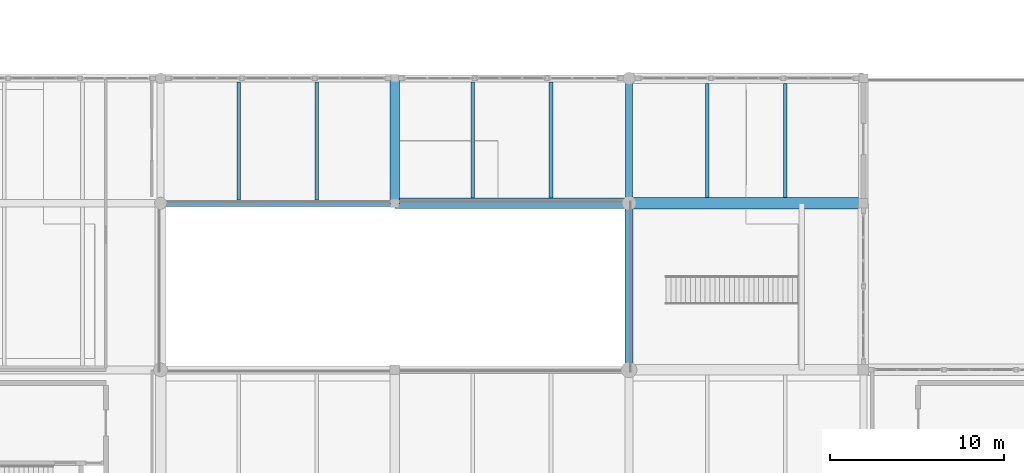
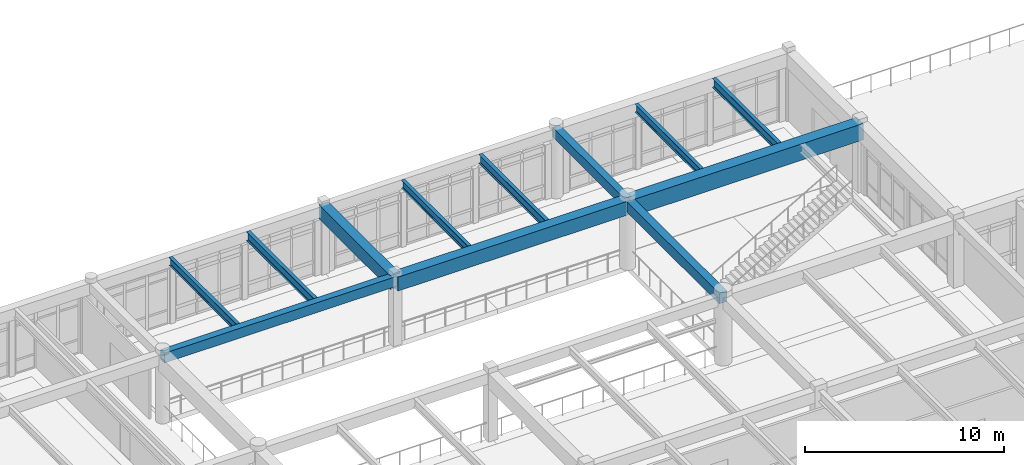
# One storey, part 28 of 109: 12 beams.
"""IFC4 building model written with IfcOpenShell, lengths in metres."""

from ifc_helpers import new_model, si_unit, direction, frame, origin, origin_2d, place, context, subcontext, project, spatial, rectangle, i_section, extrude, material, material_profile, profile_set, type_object, element, save


model = new_model("IFC4")

# Units and contexts
model_context = context("Model", 3, precision=1e-05, world=origin(), true_north=direction((0.0, 1.0)))
body_context = subcontext(model_context, "Body", "Model", "MODEL_VIEW")
ifc_project = project(units=[si_unit("LENGTHUNIT", "METRE"), si_unit("AREAUNIT", "SQUARE_METRE"), si_unit("VOLUMEUNIT", "CUBIC_METRE"), si_unit("PLANEANGLEUNIT", "RADIAN"), si_unit("MASSUNIT", "GRAM", prefix="KILO")], contexts=[model_context])

# Site, building, storey
site_placement = place(None, origin())
site = spatial("IfcSite", under=ifc_project, at=site_placement, CompositionType="ELEMENT")
building_placement = place(site_placement, origin())
building = spatial("IfcBuilding", under=site, at=building_placement, Name="Fikremerkos Civic Library", CompositionType="ELEMENT")
storey_placement = place(building_placement, frame((0.0, 0.0, 5.39990234375)))
storey = spatial("IfcBuildingStorey", under=building, at=storey_placement, Name="L01", CompositionType="ELEMENT", Elevation=5.39990234375)

# Beams
ifc_material_1 = material(Name="Steel S355", Category="steel")
ifc_material_profile_1 = material_profile(ifc_material_1, i_section(OverallWidth=0.2099609375, OverallDepth=0.550048828125, WebThickness=0.010986328125, FlangeThickness=0.01708984375, FilletRadius=0.02392578125, at=origin_2d()), Name="IPE 550")
ifc_profile_set_1 = profile_set([ifc_material_profile_1], Name="Steel S355")
beam_type_1 = type_object("IfcBeamType", Name="Floor joist JS-05 IPE 550", PredefinedType="JOIST", material=ifc_profile_set_1)
beam_1_placement = place(storey_placement, frame((68.699951171875, 41.0, 3.945068359375), z_axis=(0.0, 1.0, 0.0), x_axis=(-1.0, 0.0, 0.0)))
element("IfcBeam", 1, at=beam_1_placement, inside=storey, type_object=beam_type_1, Name="Floor joist JS-05 L01 #429", PredefinedType="JOIST", context=body_context, shape_type="SweptSolid", body=[
    extrude(i_section(OverallWidth=0.2099609375, OverallDepth=0.550048828125, WebThickness=0.010986328125, FlangeThickness=0.01708984375, FilletRadius=0.02392578125, at=origin_2d()), origin(), (0.0, 0.0, 1.0), 6.77490234375),
])
beam_2_placement = place(storey_placement, frame((82.199951171875, 41.10009765625, 3.945068359375), z_axis=(0.0, 1.0, 0.0), x_axis=(-1.0, 0.0, 0.0)))
element("IfcBeam", 2, at=beam_2_placement, inside=storey, type_object=beam_type_1, Name="Floor joist JS-05 L01 #435", PredefinedType="JOIST", context=body_context, shape_type="SweptSolid", body=[
    extrude(i_section(OverallWidth=0.2099609375, OverallDepth=0.550048828125, WebThickness=0.010986328125, FlangeThickness=0.01708984375, FilletRadius=0.02392578125, at=origin_2d()), origin(), (0.0, 0.0, 1.0), 6.699951171875),
])
beam_3_placement = place(storey_placement, frame((95.699951171875, 41.125, 3.945068359375), z_axis=(0.0, 1.0, 0.0), x_axis=(-1.0, 0.0, 0.0)))
element("IfcBeam", 3, at=beam_3_placement, inside=storey, type_object=beam_type_1, Name="Floor joist JS-05 L01 #441", PredefinedType="JOIST", context=body_context, shape_type="SweptSolid", body=[
    extrude(i_section(OverallWidth=0.2099609375, OverallDepth=0.550048828125, WebThickness=0.010986328125, FlangeThickness=0.01708984375, FilletRadius=0.02392578125, at=origin_2d()), origin(), (0.0, 0.0, 1.0), 6.574951171875),
])
ifc_material_profile_2 = material_profile(ifc_material_1, i_section(OverallWidth=0.199951171875, OverallDepth=0.5, WebThickness=0.01025390625, FlangeThickness=0.01611328125, FilletRadius=0.02099609375, at=origin_2d()), Name="IPE 500")
ifc_profile_set_2 = profile_set([ifc_material_profile_2], Name="Steel S355")
beam_type_2 = type_object("IfcBeamType", Name="Floor joist JS-06 IPE 500", PredefinedType="JOIST", material=ifc_profile_set_2)
beam_4_placement = place(storey_placement, frame((64.199951171875, 41.0, 3.97021484375), z_axis=(0.0, 1.0, 0.0), x_axis=(-1.0, 0.0, 0.0)))
element("IfcBeam", 4, at=beam_4_placement, inside=storey, type_object=beam_type_2, Name="Floor joist JS-06 L01 #428", PredefinedType="JOIST", context=body_context, shape_type="SweptSolid", body=[
    extrude(i_section(OverallWidth=0.199951171875, OverallDepth=0.5, WebThickness=0.01025390625, FlangeThickness=0.01611328125, FilletRadius=0.02099609375, at=origin_2d()), origin(), (0.0, 0.0, 1.0), 6.77490234375),
])
beam_5_placement = place(storey_placement, frame((77.699951171875, 41.10009765625, 3.97021484375), z_axis=(0.0, 1.0, 0.0), x_axis=(-1.0, 0.0, 0.0)))
element("IfcBeam", 5, at=beam_5_placement, inside=storey, type_object=beam_type_2, Name="Floor joist JS-06 L01 #434", PredefinedType="JOIST", context=body_context, shape_type="SweptSolid", body=[
    extrude(i_section(OverallWidth=0.199951171875, OverallDepth=0.5, WebThickness=0.01025390625, FlangeThickness=0.01611328125, FilletRadius=0.02099609375, at=origin_2d()), origin(), (0.0, 0.0, 1.0), 6.699951171875),
])
beam_6_placement = place(storey_placement, frame((91.199951171875, 41.125, 3.97021484375), z_axis=(0.0, 1.0, 0.0), x_axis=(-1.0, 0.0, 0.0)))
element("IfcBeam", 6, at=beam_6_placement, inside=storey, type_object=beam_type_2, Name="Floor joist JS-06 L01 #440", PredefinedType="JOIST", context=body_context, shape_type="SweptSolid", body=[
    extrude(i_section(OverallWidth=0.199951171875, OverallDepth=0.5, WebThickness=0.01025390625, FlangeThickness=0.01611328125, FilletRadius=0.02099609375, at=origin_2d()), origin(), (0.0, 0.0, 1.0), 6.574951171875),
])
ifc_material_2 = material(Name="Concrete C40/50", Category="concrete")
ifc_material_profile_3 = material_profile(ifc_material_2, rectangle(XDim=0.550048828125, YDim=0.85009765625, at=origin_2d()), Name="RC 550x850")
ifc_profile_set_3 = profile_set([ifc_material_profile_3], Name="Concrete C40/50")
beam_type_3 = type_object("IfcBeamType", Name="Primary girder BM-03 RC 550x850", PredefinedType="BEAM", material=ifc_profile_set_3)
beam_7_placement = place(storey_placement, frame((73.199951171875, 40.800048828125, 3.795166015625), z_axis=(0.0, 1.0, 0.0), x_axis=(-1.0, 0.0, 0.0)))
element("IfcBeam", 7, at=beam_7_placement, inside=storey, type_object=beam_type_3, Name="Primary girder BM-03 L01 grid 7", PredefinedType="BEAM", context=body_context, shape_type="SweptSolid", body=[
    extrude(rectangle(XDim=0.550048828125, YDim=0.85009765625, at=origin_2d()), origin(), (0.0, 0.0, 1.0), 7.199951171875),
])
ifc_material_profile_4 = material_profile(ifc_material_2, rectangle(XDim=0.449951171875, YDim=0.64990234375, at=origin_2d()), Name="RC 450x650")
ifc_profile_set_4 = profile_set([ifc_material_profile_4], Name="Concrete C40/50")
beam_type_4 = type_object("IfcBeamType", Name="Primary girder BM-07 RC 450x650", PredefinedType="BEAM", material=ifc_profile_set_4)
beam_8_placement = place(storey_placement, frame((86.699951171875, 31.199951171875, 3.89501953125), z_axis=(0.0, 1.0, 0.0), x_axis=(-1.0, 0.0, 0.0)))
element("IfcBeam", 8, at=beam_8_placement, inside=storey, type_object=beam_type_4, Name="Primary girder BM-07 L01 grid 8", PredefinedType="BEAM", context=body_context, shape_type="SweptSolid", body=[
    extrude(rectangle(XDim=0.449951171875, YDim=0.64990234375, at=origin_2d()), origin(), (0.0, 0.0, 1.0), 9.60009765625),
])
ifc_material_profile_5 = material_profile(ifc_material_2, rectangle(XDim=0.39990234375, YDim=0.60009765625, at=origin_2d()), Name="RC 400x600")
ifc_profile_set_5 = profile_set([ifc_material_profile_5], Name="Concrete C40/50")
beam_type_5 = type_object("IfcBeamType", Name="Primary girder BM-08 RC 400x600", PredefinedType="BEAM", material=ifc_profile_set_5)
beam_9_placement = place(storey_placement, frame((59.699951171875, 40.800048828125, 3.920166015625), z_axis=(1.0, 0.0, 0.0), x_axis=(0.0, 1.0, 0.0)))
element("IfcBeam", 9, at=beam_9_placement, inside=storey, type_object=beam_type_5, Name="Primary girder BM-08 L01 grid H", PredefinedType="BEAM", context=body_context, shape_type="SweptSolid", body=[
    extrude(rectangle(XDim=0.39990234375, YDim=0.60009765625, at=origin_2d()), origin(), (0.0, 0.0, 1.0), 13.5),
])
beam_10_placement = place(storey_placement, frame((86.699951171875, 40.800048828125, 3.920166015625), z_axis=(0.0, 1.0, 0.0), x_axis=(-1.0, 0.0, 0.0)))
element("IfcBeam", 10, at=beam_10_placement, inside=storey, type_object=beam_type_5, Name="Primary girder BM-08 L01 grid 8", PredefinedType="BEAM", context=body_context, shape_type="SweptSolid", body=[
    extrude(rectangle(XDim=0.39990234375, YDim=0.60009765625, at=origin_2d()), origin(), (0.0, 0.0, 1.0), 7.199951171875),
])
ifc_material_profile_6 = material_profile(ifc_material_2, rectangle(XDim=0.60009765625, YDim=0.85009765625, at=origin_2d()), Name="RC 600x850")
ifc_profile_set_6 = profile_set([ifc_material_profile_6], Name="Concrete C40/50")
beam_type_6 = type_object("IfcBeamType", Name="Primary girder BM-24 RC 600x850", PredefinedType="BEAM", material=ifc_profile_set_6)
beam_11_placement = place(storey_placement, frame((73.199951171875, 40.800048828125, 3.795166015625), z_axis=(1.0, 0.0, 0.0), x_axis=(0.0, 1.0, 0.0)))
element("IfcBeam", 11, at=beam_11_placement, inside=storey, type_object=beam_type_6, Name="Primary girder BM-24 L01 grid H", PredefinedType="BEAM", context=body_context, shape_type="SweptSolid", body=[
    extrude(rectangle(XDim=0.60009765625, YDim=0.85009765625, at=origin_2d()), origin(), (0.0, 0.0, 1.0), 13.5),
])
ifc_material_3 = material(Name="Concrete C45/55", Category="concrete")
ifc_material_profile_7 = material_profile(ifc_material_3, rectangle(XDim=0.64990234375, YDim=1.0, at=origin_2d()), Name="RC 650x1000")
ifc_profile_set_7 = profile_set([ifc_material_profile_7], Name="Concrete C45/55")
beam_type_7 = type_object("IfcBeamType", Name="Primary girder BM-25 RC 650x1000", PredefinedType="BEAM", material=ifc_profile_set_7)
beam_12_placement = place(storey_placement, frame((86.699951171875, 40.800048828125, 3.72021484375), z_axis=(1.0, 0.0, 0.0), x_axis=(0.0, 1.0, 0.0)))
element("IfcBeam", 12, at=beam_12_placement, inside=storey, type_object=beam_type_7, Name="Primary girder BM-25 L01 grid H", PredefinedType="BEAM", context=body_context, shape_type="SweptSolid", body=[
    extrude(rectangle(XDim=0.64990234375, YDim=1.0, at=origin_2d()), origin(), (0.0, 0.0, 1.0), 13.5),
])

save(model, "model.ifc")
